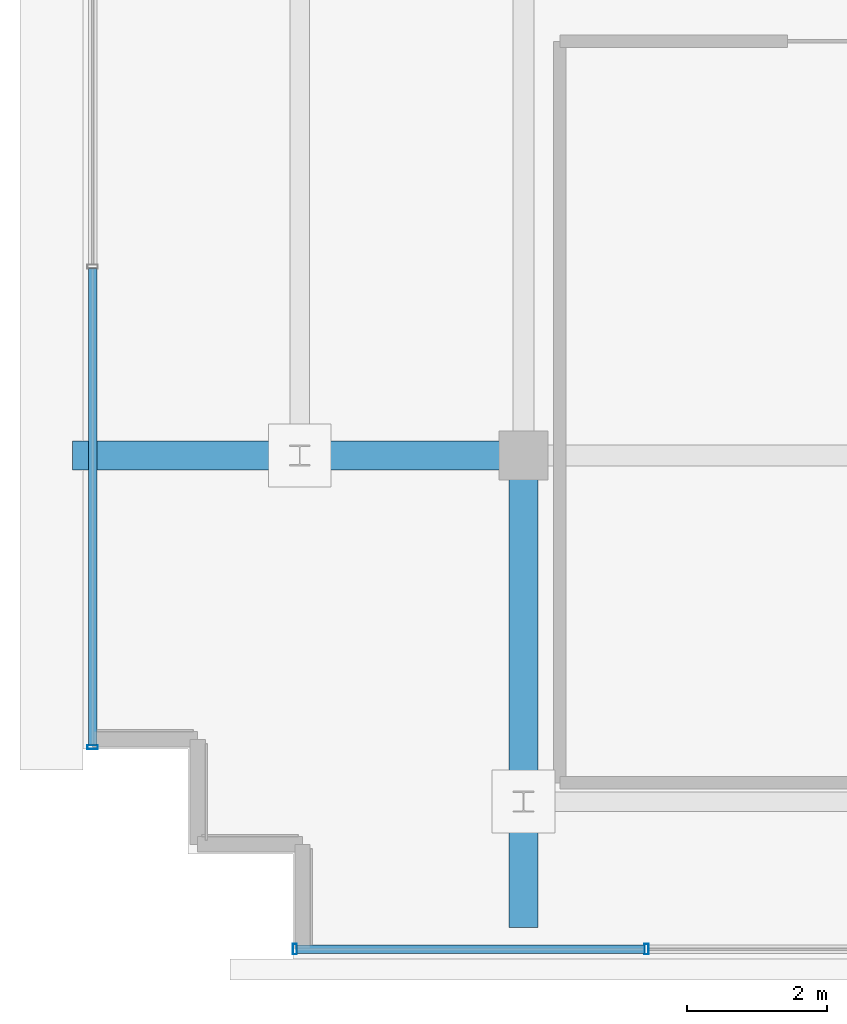
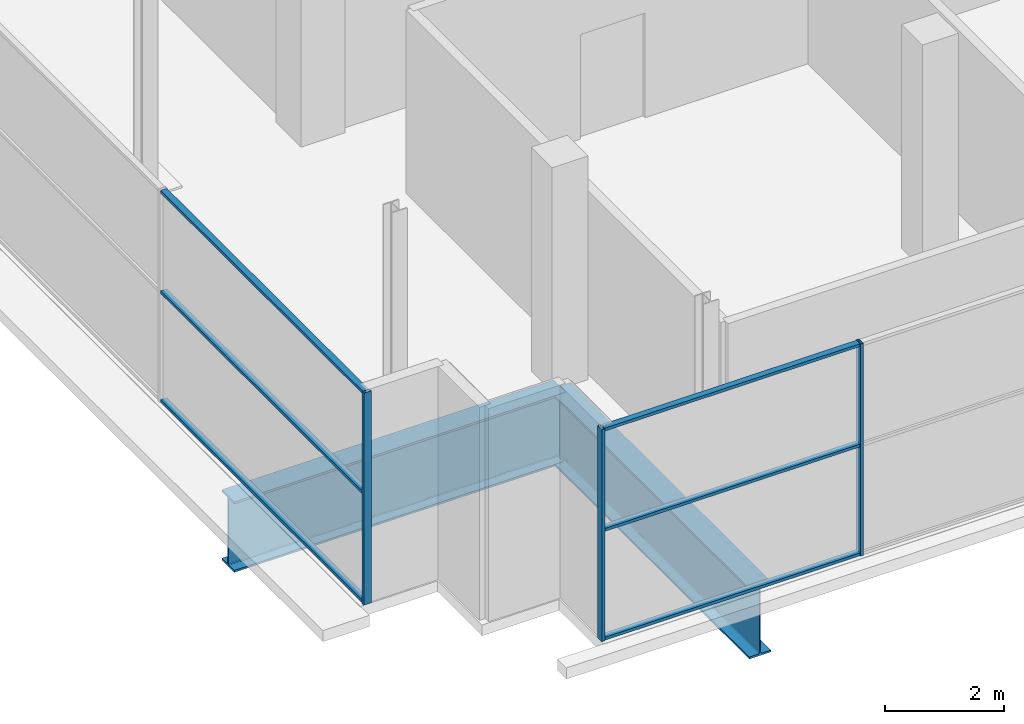
# One storey, part 3 of 28: 9 members, 2 beams, 2 elements without a shape of their own.
"""IFC4 building model written with IfcOpenShell, lengths in metres."""

from ifc_helpers import new_model, si_unit, direction, frame, origin, origin_2d, place, context, subcontext, project, spatial, hollow_rectangle, i_section, extrude, source, transform, mapped, material, layer, layer_set, material_profile, profile_set, type_object, element, aggregate, save


model = new_model("IFC4")

# Units and contexts
model_context = context("Model", 3, precision=1e-05, world=origin(), true_north=direction((0.0, 1.0)))
body_context = subcontext(model_context, "Body", "Model", "MODEL_VIEW")
ifc_project = project(units=[si_unit("LENGTHUNIT", "METRE"), si_unit("AREAUNIT", "SQUARE_METRE"), si_unit("VOLUMEUNIT", "CUBIC_METRE"), si_unit("PLANEANGLEUNIT", "RADIAN"), si_unit("MASSUNIT", "GRAM", prefix="KILO")], contexts=[model_context])

# Site, building, storey
site_placement = place(None, origin())
site = spatial("IfcSite", under=ifc_project, at=site_placement, CompositionType="ELEMENT")
building_placement = place(site_placement, origin())
building = spatial("IfcBuilding", under=site, at=building_placement, Name="Zarnakvel Exchange Tower", CompositionType="ELEMENT")
storey_placement = place(building_placement, frame((0.0, 0.0, 271.60009765625)))
storey = spatial("IfcBuildingStorey", under=building, at=storey_placement, Name="Crown L77", CompositionType="ELEMENT", Elevation=271.60009765625)

# Beams
ifc_material_1 = material(Name="Steel S460", Category="steel")
ifc_material_profile_1 = material_profile(ifc_material_1, i_section(OverallWidth=0.419921875, OverallDepth=1.449951171875, WebThickness=0.02392578125, FlangeThickness=0.0400390625, FilletRadius=0.030029296875, at=origin_2d()))
ifc_profile_set_1 = profile_set([ifc_material_profile_1], Name="Steel S460")
beam_type = type_object("IfcBeamType", Name="TG-01", PredefinedType="BEAM", material=ifc_profile_set_1)
beam_1_placement = place(storey_placement, frame((-14.39990234375, -16.35009765625, -0.945068359375), z_axis=(0.0, 1.0, 0.0), x_axis=(-1.0, 0.0, 0.0)))
element("IfcBeam", 1, at=beam_1_placement, inside=storey, type_object=beam_type, Name="Crown L77 Setback N-S Transfer Girder CS-4", PredefinedType="BEAM", context=body_context, shape_type="SweptSolid", body=[
    extrude(i_section(OverallWidth=0.419921875, OverallDepth=1.449951171875, WebThickness=0.02392578125, FlangeThickness=0.0400390625, FilletRadius=0.030029296875, at=origin_2d()), origin(), (0.0, 0.0, 1.0), 6.75),
])
beam_2_placement = place(storey_placement, frame((-20.85009765625, -9.60009765625, -0.945068359375), z_axis=(1.0, 0.0, 0.0), x_axis=(0.0, 1.0, 0.0)))
element("IfcBeam", 2, at=beam_2_placement, inside=storey, type_object=beam_type, Name="Crown L77 Setback E-W Transfer Girder CW-C", PredefinedType="BEAM", context=body_context, shape_type="SweptSolid", body=[
    extrude(i_section(OverallWidth=0.419921875, OverallDepth=1.449951171875, WebThickness=0.02392578125, FlangeThickness=0.0400390625, FilletRadius=0.030029296875, at=origin_2d()), origin(), (0.0, 0.0, 1.0), 6.4501953125),
])

# Curtain wall, members
ifc_material_2 = material(Name="Architectural Bronze Anodised Aluminium", Category="aluminium")
ifc_layer = layer(ifc_material_2, 0.14990234375)
ifc_layer_set = layer_set([ifc_layer], Name="Architectural Bronze Anodised Aluminium")
curtain_wall_type = type_object("IfcCurtainWallType", Name="CW-07", PredefinedType="NOTDEFINED", material=ifc_layer_set)
curtain_wall_1_placement = place(storey_placement, origin())
curtain_wall_1 = element("IfcCurtainWall", 3, at=curtain_wall_1_placement, inside=storey, type_object=curtain_wall_type, Name="Crown L77 Curtain Wall CW-Crown L77-S (CW-07)", PredefinedType="NOTDEFINED")
ifc_material_profile_2 = material_profile(ifc_material_2, hollow_rectangle(XDim=0.14990234375, YDim=0.06005859375, WallThickness=0.00390625, at=origin_2d()))
ifc_profile_set_2 = profile_set([ifc_material_profile_2], Name="Architectural Bronze Anodised Aluminium")
member_type_1 = type_object("IfcMemberType", Name="CWM-07", PredefinedType="MULLION", material=ifc_profile_set_2)
shared_shape_1 = source(origin(), body_context, "Body", "SweptSolid", [
    extrude(hollow_rectangle(XDim=0.14990234375, YDim=0.06005859375, WallThickness=0.00390625, at=origin_2d()), origin(), (0.0, 0.0, 1.0), 4.35986328125),
])
member_1_placement = place(storey_placement, frame((-17.669921875, -16.659912109375, 0.0), z_axis=(0.0, 0.0, 1.0), x_axis=(0.0, 1.0, 0.0)))
member_1 = element("IfcMember", 4, at=member_1_placement, type_object=member_type_1, Name="CW-07 mullion 1", PredefinedType="MULLION", context=body_context, shape_type="MappedRepresentation", body=[
    mapped(shared_shape_1, transform((0.0, 0.0, 0.0), x_axis=(1.0, 0.0, 0.0), y_axis=(0.0, 1.0, 0.0), z_axis=(0.0, 0.0, 1.0), scale=1.0)),
])
member_2_placement = place(storey_placement, frame((-12.642822265625, -16.659912109375, 0.0), z_axis=(0.0, 0.0, 1.0), x_axis=(0.0, 1.0, 0.0)))
member_2 = element("IfcMember", 5, at=member_2_placement, type_object=member_type_1, Name="CW-07 mullion 2", PredefinedType="MULLION", context=body_context, shape_type="MappedRepresentation", body=[
    mapped(shared_shape_1, transform((0.0, 0.0, 0.0), x_axis=(1.0, 0.0, 0.0), y_axis=(0.0, 1.0, 0.0), z_axis=(0.0, 0.0, 1.0), scale=1.0)),
])

# Curtain wall, member
curtain_wall_2_placement = place(storey_placement, origin())
curtain_wall_2 = element("IfcCurtainWall", 6, at=curtain_wall_2_placement, inside=storey, type_object=curtain_wall_type, Name="Crown L77 Curtain Wall CW-Crown L77-W (CW-07)", PredefinedType="NOTDEFINED")
member_3_placement = place(storey_placement, frame((-20.56005859375, -13.77001953125, 0.0), z_axis=(0.0, 0.0, 1.0), x_axis=(-1.0, 0.0, 0.0)))
member_3 = element("IfcMember", 7, at=member_3_placement, type_object=member_type_1, Name="CW-07 mullion 1", PredefinedType="MULLION", context=body_context, shape_type="MappedRepresentation", body=[
    mapped(shared_shape_1, transform((0.0, 0.0, 0.0), x_axis=(1.0, 0.0, 0.0), y_axis=(0.0, 1.0, 0.0), z_axis=(0.0, 0.0, 1.0), scale=1.0)),
])

# Member
ifc_material_profile_3 = material_profile(ifc_material_2, hollow_rectangle(XDim=0.1201171875, YDim=0.06005859375, WallThickness=0.00390625, at=origin_2d()))
ifc_profile_set_3 = profile_set([ifc_material_profile_3], Name="Architectural Bronze Anodised Aluminium")
member_type_2 = type_object("IfcMemberType", Name="CWT-07", PredefinedType="USERDEFINED", material=ifc_profile_set_3)
shared_shape_2 = source(origin(), body_context, "Body", "SweptSolid", [
    extrude(hollow_rectangle(XDim=0.1201171875, YDim=0.06005859375, WallThickness=0.00390625, at=origin_2d()), origin(), (0.0, 0.0, 1.0), 4.967041015625),
])
member_4_placement = place(storey_placement, frame((-17.639892578125, -16.659912109375, 0.02978515625), z_axis=(1.0, 0.0, 0.0), x_axis=(0.0, 1.0, 0.0)))
member_4 = element("IfcMember", 8, at=member_4_placement, type_object=member_type_2, Name="CW-07 transom 1.1", ObjectType="TRANSOM", PredefinedType="USERDEFINED", context=body_context, shape_type="MappedRepresentation", body=[
    mapped(shared_shape_2, transform((0.0, 0.0, 0.0), x_axis=(1.0, 0.0, 0.0), y_axis=(0.0, 1.0, 0.0), z_axis=(0.0, 0.0, 1.0), scale=1.0)),
])

member_5_placement = place(storey_placement, frame((-17.639892578125, -16.659912109375, 2.26708984375), z_axis=(1.0, 0.0, 0.0), x_axis=(0.0, 1.0, 0.0)))
member_5 = element("IfcMember", 9, at=member_5_placement, type_object=member_type_2, Name="CW-07 transom 1.2", ObjectType="TRANSOM", PredefinedType="USERDEFINED", context=body_context, shape_type="MappedRepresentation", body=[
    mapped(shared_shape_2, transform((0.0, 0.0, 0.0), x_axis=(1.0, 0.0, 0.0), y_axis=(0.0, 1.0, 0.0), z_axis=(0.0, 0.0, 1.0), scale=1.0)),
])

member_6_placement = place(storey_placement, frame((-17.639892578125, -16.659912109375, 4.329833984375), z_axis=(1.0, 0.0, 0.0), x_axis=(0.0, 1.0, 0.0)))
member_6 = element("IfcMember", 10, at=member_6_placement, type_object=member_type_2, Name="CW-07 transom 1.3", ObjectType="TRANSOM", PredefinedType="USERDEFINED", context=body_context, shape_type="MappedRepresentation", body=[
    mapped(shared_shape_2, transform((0.0, 0.0, 0.0), x_axis=(1.0, 0.0, 0.0), y_axis=(0.0, 1.0, 0.0), z_axis=(0.0, 0.0, 1.0), scale=1.0)),
])

aggregate(curtain_wall_1, [member_1, member_2, member_4, member_5, member_6])

shared_shape_3 = source(origin(), body_context, "Body", "SweptSolid", [
    extrude(hollow_rectangle(XDim=0.1201171875, YDim=0.06005859375, WallThickness=0.00390625, at=origin_2d()), origin(), (0.0, 0.0, 1.0), 6.81005859375),
])
member_7_placement = place(storey_placement, frame((-20.56005859375, -13.739990234375, 0.02978515625), z_axis=(0.0, 1.0, 0.0), x_axis=(-1.0, 0.0, 0.0)))
member_7 = element("IfcMember", 11, at=member_7_placement, type_object=member_type_2, Name="CW-07 transom 1.1", ObjectType="TRANSOM", PredefinedType="USERDEFINED", context=body_context, shape_type="MappedRepresentation", body=[
    mapped(shared_shape_3, transform((0.0, 0.0, 0.0), x_axis=(1.0, 0.0, 0.0), y_axis=(0.0, 1.0, 0.0), z_axis=(0.0, 0.0, 1.0), scale=1.0)),
])

member_8_placement = place(storey_placement, frame((-20.56005859375, -13.739990234375, 2.26708984375), z_axis=(0.0, 1.0, 0.0), x_axis=(-1.0, 0.0, 0.0)))
member_8 = element("IfcMember", 12, at=member_8_placement, type_object=member_type_2, Name="CW-07 transom 1.2", ObjectType="TRANSOM", PredefinedType="USERDEFINED", context=body_context, shape_type="MappedRepresentation", body=[
    mapped(shared_shape_3, transform((0.0, 0.0, 0.0), x_axis=(1.0, 0.0, 0.0), y_axis=(0.0, 1.0, 0.0), z_axis=(0.0, 0.0, 1.0), scale=1.0)),
])

member_9_placement = place(storey_placement, frame((-20.56005859375, -13.739990234375, 4.329833984375), z_axis=(0.0, 1.0, 0.0), x_axis=(-1.0, 0.0, 0.0)))
member_9 = element("IfcMember", 13, at=member_9_placement, type_object=member_type_2, Name="CW-07 transom 1.3", ObjectType="TRANSOM", PredefinedType="USERDEFINED", context=body_context, shape_type="MappedRepresentation", body=[
    mapped(shared_shape_3, transform((0.0, 0.0, 0.0), x_axis=(1.0, 0.0, 0.0), y_axis=(0.0, 1.0, 0.0), z_axis=(0.0, 0.0, 1.0), scale=1.0)),
])

aggregate(curtain_wall_2, [member_3, member_7, member_8, member_9])

save(model, "model.ifc")
